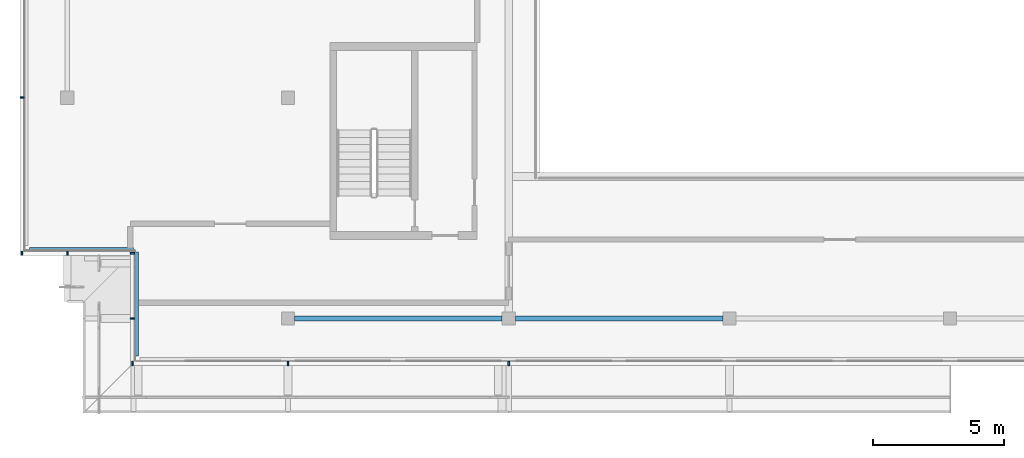
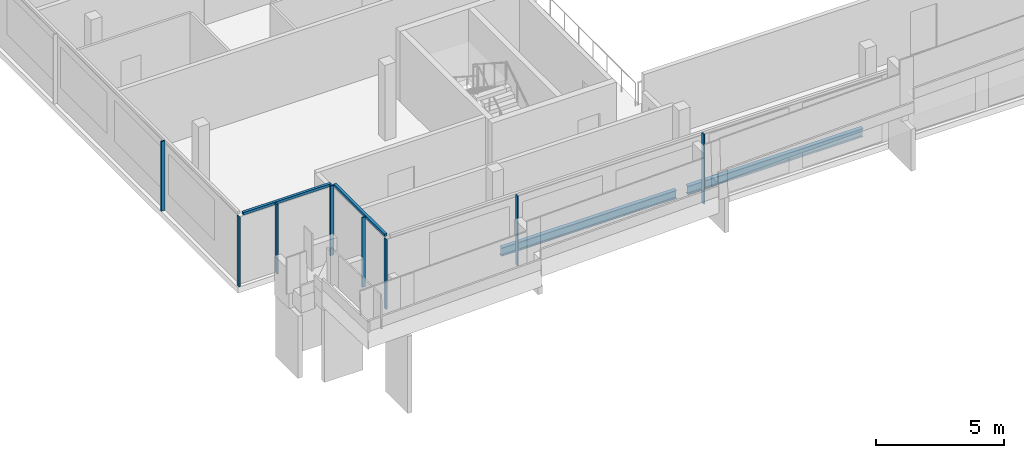
# One storey, part 2 of 22: 10 members, 2 beams, 4 elements without a shape of their own.
"""IFC4 building model written with IfcOpenShell, lengths in metres."""

from ifc_helpers import new_model, si_unit, direction, frame, origin, origin_2d, place, context, subcontext, project, spatial, rectangle, i_section, extrude, material, material_profile, profile_set, type_object, element, aggregate, save


model = new_model("IFC4")

# Units and contexts
model_context = context("Model", 3, precision=1e-05, world=origin(), true_north=direction((0.0, 1.0)))
body_context = subcontext(model_context, "Body", "Model", "MODEL_VIEW")
ifc_project = project(units=[si_unit("LENGTHUNIT", "METRE"), si_unit("AREAUNIT", "SQUARE_METRE"), si_unit("VOLUMEUNIT", "CUBIC_METRE"), si_unit("PLANEANGLEUNIT", "RADIAN"), si_unit("MASSUNIT", "GRAM", prefix="KILO")], contexts=[model_context])

# Site, building, storey
site_placement = place(None, origin())
site = spatial("IfcSite", under=ifc_project, at=site_placement, CompositionType="ELEMENT")
building_placement = place(site_placement, origin())
building = spatial("IfcBuilding", under=site, at=building_placement, Name="Saffron Gate Tower", CompositionType="ELEMENT")
storey_placement = place(building_placement, frame((0.0, 0.0, 295.949951171875)))
storey = spatial("IfcBuildingStorey", under=building, at=storey_placement, Name="L72", CompositionType="ELEMENT", Elevation=295.949951171875)

# Beams
ifc_material_1 = material(Name="Structural steel S355", Category="steel")
ifc_material_profile_1 = material_profile(ifc_material_1, i_section(OverallWidth=0.179931640625, OverallDepth=0.39990234375, WebThickness=0.008544921875, FlangeThickness=0.013427734375, FilletRadius=0.02099609375, at=origin_2d()))
ifc_profile_set_1 = profile_set([ifc_material_profile_1], Name="Structural steel S355")
beam_type = type_object("IfcBeamType", Name="B5 IPE 400", PredefinedType="SPANDREL", material=ifc_profile_set_1)
for number, where, z_axis, x_axis, name in (
    (1, (66.85009765625, 40.199951171875, -0.47998046875), (1.0, 0.0, 0.0), (0.0, 1.0, 0.0), "B5 SPANDREL BEAM"),
    (2, (75.25, 40.199951171875, -0.47998046875), (1.0, 0.0, 0.0), (0.0, 1.0, 0.0), "B5 SPANDREL BEAM"),
):
    element("IfcBeam", number, at=place(storey_placement, frame(where, z_axis=z_axis, x_axis=x_axis)), inside=storey, type_object=beam_type, Name=name, PredefinedType="SPANDREL", context=body_context, shape_type="SweptSolid", body=[
        extrude(i_section(OverallWidth=0.179931640625, OverallDepth=0.39990234375, WebThickness=0.008544921875, FlangeThickness=0.013427734375, FilletRadius=0.02099609375, at=origin_2d()), origin(), (0.0, 0.0, 1.0), 7.89990234375),
    ])

# Curtain wall, members
ifc_material_2 = material(Name="Aluminium, bronze anodised", Category="aluminium")
curtain_wall_type_1 = type_object("IfcCurtainWallType", Name="CWS1 curtain wall front facade", PredefinedType="NOTDEFINED", material=ifc_material_2)
curtain_wall_1_placement = place(storey_placement, origin())
curtain_wall_1 = element("IfcCurtainWall", 3, at=curtain_wall_1_placement, inside=storey, type_object=curtain_wall_type_1, Name="CWS1 run 1", PredefinedType="NOTDEFINED")
ifc_material_profile_2 = material_profile(ifc_material_2, rectangle(XDim=0.159912109375, YDim=0.06005859375, at=origin_2d()))
ifc_profile_set_2 = profile_set([ifc_material_profile_2], Name="Aluminium, bronze anodised")
member_type_1 = type_object("IfcMemberType", Name="CWS1 mullion 60x160", PredefinedType="MULLION", material=ifc_profile_set_2)
member_1_placement = place(storey_placement, frame((60.679931640625, 38.47998046875, 0.0), z_axis=(0.0, 0.0, 1.0), x_axis=(0.0, 1.0, 0.0)))
member_1 = element("IfcMember", 4, at=member_1_placement, type_object=member_type_1, Name="CWS1 mullion 1", PredefinedType="MULLION", context=body_context, shape_type="SweptSolid", body=[
    extrude(rectangle(XDim=0.159912109375, YDim=0.06005859375, at=origin_2d()), origin(), (0.0, 0.0, 1.0), 3.320068359375),
])
member_2_placement = place(storey_placement, frame((66.60009765625, 38.47998046875, 0.0), z_axis=(0.0, 0.0, 1.0), x_axis=(0.0, 1.0, 0.0)))
member_2 = element("IfcMember", 5, at=member_2_placement, type_object=member_type_1, Name="CWS1 mullion 2", PredefinedType="MULLION", context=body_context, shape_type="SweptSolid", body=[
    extrude(rectangle(XDim=0.159912109375, YDim=0.06005859375, at=origin_2d()), origin(), (0.0, 0.0, 1.0), 3.320068359375),
])
member_3_placement = place(storey_placement, frame((75.0, 38.47998046875, 0.0), z_axis=(0.0, 0.0, 1.0), x_axis=(0.0, 1.0, 0.0)))
member_3 = element("IfcMember", 6, at=member_3_placement, type_object=member_type_1, Name="CWS1 mullion 3", PredefinedType="MULLION", context=body_context, shape_type="SweptSolid", body=[
    extrude(rectangle(XDim=0.159912109375, YDim=0.06005859375, at=origin_2d()), origin(), (0.0, 0.0, 1.0), 3.320068359375),
])
aggregate(curtain_wall_1, [member_1, member_2, member_3])

# Curtain wall, member
curtain_wall_type_2 = type_object("IfcCurtainWallType", Name="CWS2 curtain wall side facades", PredefinedType="NOTDEFINED", material=ifc_material_2)
curtain_wall_2_placement = place(storey_placement, origin())
curtain_wall_2 = element("IfcCurtainWall", 7, at=curtain_wall_2_placement, inside=storey, type_object=curtain_wall_type_2, Name="CWS2 run 10", PredefinedType="NOTDEFINED")
ifc_material_profile_3 = material_profile(ifc_material_2, rectangle(XDim=0.159912109375, YDim=0.06005859375, at=origin_2d()))
ifc_profile_set_3 = profile_set([ifc_material_profile_3], Name="Aluminium, bronze anodised")
member_type_2 = type_object("IfcMemberType", Name="CWS2 mullion 60x160", PredefinedType="MULLION", material=ifc_profile_set_3)
member_4_placement = place(storey_placement, frame((56.47998046875, 48.60009765625, 0.0), z_axis=(0.0, 0.0, 1.0), x_axis=(1.0, 0.0, 0.0)))
member_4 = element("IfcMember", 8, at=member_4_placement, type_object=member_type_2, Name="CWS2 mullion 4", PredefinedType="MULLION", context=body_context, shape_type="SweptSolid", body=[
    extrude(rectangle(XDim=0.159912109375, YDim=0.06005859375, at=origin_2d()), origin(), (0.0, 0.0, 1.0), 3.320068359375),
])
aggregate(curtain_wall_2, [member_4])

curtain_wall_type_3 = type_object("IfcCurtainWallType", Name="CWS4 curtain wall corner returns", PredefinedType="NOTDEFINED", material=ifc_material_2)
curtain_wall_3_placement = place(storey_placement, origin())
curtain_wall_3 = element("IfcCurtainWall", 9, at=curtain_wall_3_placement, inside=storey, type_object=curtain_wall_type_3, Name="CWS4 run 11", PredefinedType="NOTDEFINED")
ifc_material_profile_4 = material_profile(ifc_material_2, rectangle(XDim=0.1201171875, YDim=0.1201171875, at=origin_2d()))
ifc_profile_set_4 = profile_set([ifc_material_profile_4], Name="Aluminium, bronze anodised")
member_type_3 = type_object("IfcMemberType", Name="CWS4 head transom", PredefinedType="USERDEFINED", material=ifc_profile_set_4)
member_5_placement = place(storey_placement, frame((56.76806640625, 42.847900390625, 3.260009765625), z_axis=(1.0, 0.0, 0.0), x_axis=(0.0, 1.0, 0.0)))
member_5 = element("IfcMember", 10, at=member_5_placement, type_object=member_type_3, Name="CWS4 head transom", ObjectType="TRANSOM", PredefinedType="USERDEFINED", context=body_context, shape_type="SweptSolid", body=[
    extrude(rectangle(XDim=0.1201171875, YDim=0.1201171875, at=origin_2d()), origin(), (0.0, 0.0, 1.0), 3.9599609375),
])

curtain_wall_4_placement = place(storey_placement, origin())
curtain_wall_4 = element("IfcCurtainWall", 11, at=curtain_wall_4_placement, inside=storey, type_object=curtain_wall_type_3, Name="CWS4 run 12", PredefinedType="NOTDEFINED")
member_6_placement = place(storey_placement, frame((60.847900390625, 42.72802734375, 3.260009765625), z_axis=(0.0, -1.0, 0.0), x_axis=(1.0, 0.0, 0.0)))
member_6 = element("IfcMember", 12, at=member_6_placement, type_object=member_type_3, Name="CWS4 head transom", ObjectType="TRANSOM", PredefinedType="USERDEFINED", context=body_context, shape_type="SweptSolid", body=[
    extrude(rectangle(XDim=0.1201171875, YDim=0.1201171875, at=origin_2d()), origin(), (0.0, 0.0, 1.0), 3.9599609375),
])

# Member
ifc_material_profile_5 = material_profile(ifc_material_2, rectangle(XDim=0.159912109375, YDim=0.06005859375, at=origin_2d()))
ifc_profile_set_5 = profile_set([ifc_material_profile_5], Name="Aluminium, bronze anodised")
member_type_4 = type_object("IfcMemberType", Name="CWS4 mullion 60x160", PredefinedType="MULLION", material=ifc_profile_set_5)
member_7_placement = place(storey_placement, frame((56.47998046875, 42.679931640625, 0.0), z_axis=(0.0, 0.0, 1.0), x_axis=(0.0, 1.0, 0.0)))
member_7 = element("IfcMember", 13, at=member_7_placement, type_object=member_type_4, Name="CWS4 mullion 1", PredefinedType="MULLION", context=body_context, shape_type="SweptSolid", body=[
    extrude(rectangle(XDim=0.159912109375, YDim=0.06005859375, at=origin_2d()), origin(), (0.0, 0.0, 1.0), 3.320068359375),
])

member_8_placement = place(storey_placement, frame((58.199951171875, 42.679931640625, 0.0), z_axis=(0.0, 0.0, 1.0), x_axis=(0.0, 1.0, 0.0)))
member_8 = element("IfcMember", 14, at=member_8_placement, type_object=member_type_4, Name="CWS4 mullion 2", PredefinedType="MULLION", context=body_context, shape_type="SweptSolid", body=[
    extrude(rectangle(XDim=0.159912109375, YDim=0.06005859375, at=origin_2d()), origin(), (0.0, 0.0, 1.0), 3.320068359375),
])

aggregate(curtain_wall_3, [member_7, member_8, member_5])

member_9_placement = place(storey_placement, frame((60.679931640625, 42.679931640625, 0.0), z_axis=(0.0, 0.0, 1.0), x_axis=(1.0, 0.0, 0.0)))
member_9 = element("IfcMember", 15, at=member_9_placement, type_object=member_type_4, Name="CWS4 mullion 1", PredefinedType="MULLION", context=body_context, shape_type="SweptSolid", body=[
    extrude(rectangle(XDim=0.159912109375, YDim=0.06005859375, at=origin_2d()), origin(), (0.0, 0.0, 1.0), 3.320068359375),
])

member_10_placement = place(storey_placement, frame((60.679931640625, 40.199951171875, 0.0), z_axis=(0.0, 0.0, 1.0), x_axis=(1.0, 0.0, 0.0)))
member_10 = element("IfcMember", 16, at=member_10_placement, type_object=member_type_4, Name="CWS4 mullion 2", PredefinedType="MULLION", context=body_context, shape_type="SweptSolid", body=[
    extrude(rectangle(XDim=0.159912109375, YDim=0.06005859375, at=origin_2d()), origin(), (0.0, 0.0, 1.0), 3.320068359375),
])

aggregate(curtain_wall_4, [member_9, member_10, member_6])

save(model, "model.ifc")
